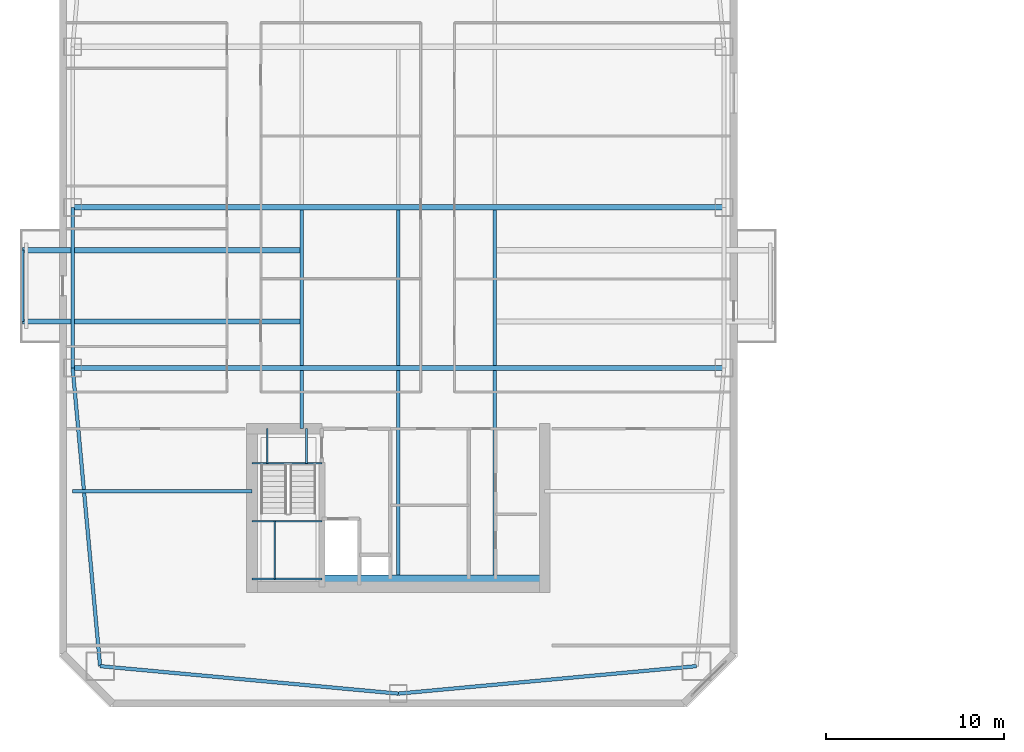
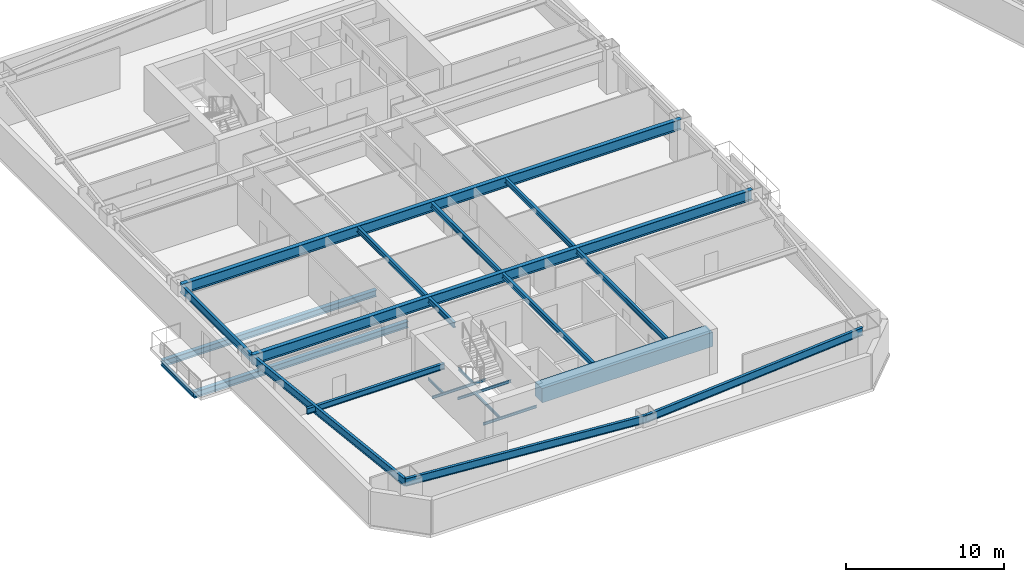
# One storey, part 3 of 22: 23 beams.
"""IFC4 building model written with IfcOpenShell, lengths in metres."""

from ifc_helpers import new_model, si_unit, direction, frame, origin, origin_2d, place, context, subcontext, project, spatial, rectangle, i_section, extrude, material, material_profile, profile_set, type_object, element, save


model = new_model("IFC4")

# Units and contexts
model_context = context("Model", 3, precision=1e-05, world=origin(), true_north=direction((0.0, 1.0)))
body_context = subcontext(model_context, "Body", "Model", "MODEL_VIEW")
ifc_project = project(units=[si_unit("LENGTHUNIT", "METRE"), si_unit("AREAUNIT", "SQUARE_METRE"), si_unit("VOLUMEUNIT", "CUBIC_METRE"), si_unit("PLANEANGLEUNIT", "RADIAN"), si_unit("MASSUNIT", "GRAM", prefix="KILO")], contexts=[model_context])

# Site, building, storey
site_placement = place(None, origin())
site = spatial("IfcSite", under=ifc_project, at=site_placement, CompositionType="ELEMENT")
building_placement = place(site_placement, origin())
building = spatial("IfcBuilding", under=site, at=building_placement, Name="Qiaolan Cultural Towers", CompositionType="ELEMENT")
storey_placement = place(building_placement, frame((0.0, 0.0, 146.050048828125)))
storey = spatial("IfcBuildingStorey", under=building, at=storey_placement, Name="L38", CompositionType="ELEMENT", Elevation=146.050048828125)

# Beams
ifc_material_1 = material(Name="Steel Q355B", Category="steel")
ifc_material_profile_1 = material_profile(ifc_material_1, i_section(OverallWidth=0.300048828125, OverallDepth=0.488037109375, WebThickness=0.010986328125, FlangeThickness=0.01806640625, at=origin_2d()), Name="HM488x300x11x18")
ifc_profile_set_1 = profile_set([ifc_material_profile_1], Name="Steel Q355B")
beam_type_1 = type_object("IfcBeamType", Name="BM-HM488x300x11x18", PredefinedType="BEAM", material=ifc_profile_set_1)
for number, where, z_axis, x_axis, name in (
    (1, (24.60009765625, 27.60009765625, -0.524169921875), (-1.0, 0.0, 0.0), (0.0, -1.0, 0.0), "L38 T1 Tree Balcony Back-Spanned Bracket Beam"),
    (2, (24.60009765625, 31.60009765625, -0.524169921875), (-1.0, 0.0, 0.0), (0.0, -1.0, 0.0), "L38 T1 Tree Balcony Back-Spanned Bracket Beam"),
):
    element("IfcBeam", number, at=place(storey_placement, frame(where, z_axis=z_axis, x_axis=x_axis)), inside=storey, type_object=beam_type_1, Name=name, PredefinedType="BEAM", context=body_context, shape_type="SweptSolid", body=[
        extrude(i_section(OverallWidth=0.300048828125, OverallDepth=0.488037109375, WebThickness=0.010986328125, FlangeThickness=0.01806640625, at=origin_2d()), origin(), (0.0, 0.0, 1.0), 15.650146484375),
    ])
ifc_material_2 = material(Name="Steel Q355B", Category="steel")
ifc_material_profile_2 = material_profile(ifc_material_2, i_section(OverallWidth=0.300048828125, OverallDepth=0.800048828125, WebThickness=0.013916015625, FlangeThickness=0.02587890625, at=origin_2d()), Name="HN800x300x14x26")
ifc_profile_set_2 = profile_set([ifc_material_profile_2], Name="Steel Q355B")
beam_type_2 = type_object("IfcBeamType", Name="BM-HN800x300x14x26", PredefinedType="BEAM", material=ifc_profile_set_2)
for number, where, z_axis, x_axis, name in (
    (3, (11.75, 25.0, 2.7900390625), (1.0, 0.0, 0.0), (0.0, 1.0, 0.0), "L38 T1 Primary Transverse Girder V1"),
    (4, (11.75, 34.0, 2.7900390625), (1.0, 0.0, 0.0), (0.0, 1.0, 0.0), "L38 T1 Primary Transverse Girder V2"),
):
    element("IfcBeam", number, at=place(storey_placement, frame(where, z_axis=z_axis, x_axis=x_axis)), inside=storey, type_object=beam_type_2, Name=name, PredefinedType="BEAM", context=body_context, shape_type="SweptSolid", body=[
        extrude(i_section(OverallWidth=0.300048828125, OverallDepth=0.800048828125, WebThickness=0.013916015625, FlangeThickness=0.02587890625, at=origin_2d()), origin(), (0.0, 0.0, 1.0), 36.5),
    ])
ifc_material_3 = material(Name="Steel Q355B", Category="steel")
ifc_material_profile_3 = material_profile(ifc_material_3, i_section(OverallWidth=0.175048828125, OverallDepth=0.35009765625, WebThickness=0.007080078125, FlangeThickness=0.010986328125, at=origin_2d()), Name="HN350x175x7x11")
ifc_profile_set_3 = profile_set([ifc_material_profile_3], Name="Steel Q355B")
beam_type_3 = type_object("IfcBeamType", Name="BM-JST-HN350x175x7x11", PredefinedType="JOIST", material=ifc_profile_set_3)
beam_1_placement = place(storey_placement, frame((8.949951171875, 27.60009765625, -0.524169921875), z_axis=(0.0, 1.0, 0.0), x_axis=(-1.0, 0.0, 0.0)))
element("IfcBeam", 5, at=beam_1_placement, inside=storey, type_object=beam_type_3, Name="L38 T1 Tree Balcony Outer Edge Beam", PredefinedType="JOIST", context=body_context, shape_type="SweptSolid", body=[
    extrude(i_section(OverallWidth=0.175048828125, OverallDepth=0.35009765625, WebThickness=0.007080078125, FlangeThickness=0.010986328125, at=origin_2d()), origin(), (0.0, 0.0, 1.0), 4.0),
])
ifc_material_4 = material(Name="Steel Q355B", Category="steel")
ifc_material_profile_4 = material_profile(ifc_material_4, i_section(OverallWidth=0.199951171875, OverallDepth=0.39990234375, WebThickness=0.008056640625, FlangeThickness=0.012939453125, at=origin_2d()), Name="HN400x200x8x13")
ifc_profile_set_4 = profile_set([ifc_material_profile_4], Name="Steel Q355B")
beam_type_4 = type_object("IfcBeamType", Name="BM-JST-HN400x200x8x13", PredefinedType="JOIST", material=ifc_profile_set_4)
beam_2_placement = place(storey_placement, frame((24.60009765625, 21.60009765625, 2.989990234375), z_axis=(0.0, 1.0, 0.0), x_axis=(-1.0, 0.0, 0.0)))
element("IfcBeam", 6, at=beam_2_placement, inside=storey, type_object=beam_type_4, Name="L38 T1 Secondary Floor Joist U1-1", PredefinedType="JOIST", context=body_context, shape_type="SweptSolid", body=[
    extrude(i_section(OverallWidth=0.199951171875, OverallDepth=0.39990234375, WebThickness=0.008056640625, FlangeThickness=0.012939453125, at=origin_2d()), origin(), (0.0, 0.0, 1.0), 3.25),
])
beam_3_placement = place(storey_placement, frame((24.60009765625, 25.14990234375, 2.989990234375), z_axis=(0.0, 1.0, 0.0), x_axis=(-1.0, 0.0, 0.0)))
element("IfcBeam", 7, at=beam_3_placement, inside=storey, type_object=beam_type_4, Name="L38 T1 Secondary Floor Joist U1-2", PredefinedType="JOIST", context=body_context, shape_type="SweptSolid", body=[
    extrude(i_section(OverallWidth=0.199951171875, OverallDepth=0.39990234375, WebThickness=0.008056640625, FlangeThickness=0.012939453125, at=origin_2d()), origin(), (0.0, 0.0, 1.0), 8.7001953125),
])
beam_4_placement = place(storey_placement, frame((30.0, 13.39990234375, 2.989990234375), z_axis=(0.0, 1.0, 0.0), x_axis=(-1.0, 0.0, 0.0)))
element("IfcBeam", 8, at=beam_4_placement, inside=storey, type_object=beam_type_4, Name="L38 T1 Secondary Floor Joist U2-1", PredefinedType="JOIST", context=body_context, shape_type="SweptSolid", body=[
    extrude(i_section(OverallWidth=0.199951171875, OverallDepth=0.39990234375, WebThickness=0.008056640625, FlangeThickness=0.012939453125, at=origin_2d()), origin(), (0.0, 0.0, 1.0), 11.4501953125),
])
beam_5_placement = place(storey_placement, frame((30.0, 25.14990234375, 2.989990234375), z_axis=(0.0, 1.0, 0.0), x_axis=(-1.0, 0.0, 0.0)))
element("IfcBeam", 9, at=beam_5_placement, inside=storey, type_object=beam_type_4, Name="L38 T1 Secondary Floor Joist U2-2", PredefinedType="JOIST", context=body_context, shape_type="SweptSolid", body=[
    extrude(i_section(OverallWidth=0.199951171875, OverallDepth=0.39990234375, WebThickness=0.008056640625, FlangeThickness=0.012939453125, at=origin_2d()), origin(), (0.0, 0.0, 1.0), 8.7001953125),
])
beam_6_placement = place(storey_placement, frame((35.39990234375, 13.39990234375, 2.989990234375), z_axis=(0.0, 1.0, 0.0), x_axis=(-1.0, 0.0, 0.0)))
element("IfcBeam", 10, at=beam_6_placement, inside=storey, type_object=beam_type_4, Name="L38 T1 Secondary Floor Joist U3-1", PredefinedType="JOIST", context=body_context, shape_type="SweptSolid", body=[
    extrude(i_section(OverallWidth=0.199951171875, OverallDepth=0.39990234375, WebThickness=0.008056640625, FlangeThickness=0.012939453125, at=origin_2d()), origin(), (0.0, 0.0, 1.0), 11.4501953125),
])
beam_7_placement = place(storey_placement, frame((35.39990234375, 25.14990234375, 2.989990234375), z_axis=(0.0, 1.0, 0.0), x_axis=(-1.0, 0.0, 0.0)))
element("IfcBeam", 11, at=beam_7_placement, inside=storey, type_object=beam_type_4, Name="L38 T1 Secondary Floor Joist U3-2", PredefinedType="JOIST", context=body_context, shape_type="SweptSolid", body=[
    extrude(i_section(OverallWidth=0.199951171875, OverallDepth=0.39990234375, WebThickness=0.008056640625, FlangeThickness=0.012939453125, at=origin_2d()), origin(), (0.0, 0.0, 1.0), 8.7001953125),
])
ifc_material_5 = material(Name="Steel Q355B", Category="steel")
ifc_material_profile_5 = material_profile(ifc_material_5, i_section(OverallWidth=0.199951171875, OverallDepth=0.449951171875, WebThickness=0.009033203125, FlangeThickness=0.013916015625, at=origin_2d()), Name="HN450x200x9x14")
ifc_profile_set_5 = profile_set([ifc_material_profile_5], Name="Steel Q355B")
beam_type_5 = type_object("IfcBeamType", Name="BM-LNT-HN450x200x9x14", PredefinedType="LINTEL", material=ifc_profile_set_5)
beam_8_placement = place(storey_placement, frame((21.800048828125, 18.10009765625, 2.96484375), z_axis=(-1.0, 0.0, 0.0), x_axis=(0.0, -1.0, 0.0)))
element("IfcBeam", 12, at=beam_8_placement, inside=storey, type_object=beam_type_5, Name="L38 T1 Core Flank Tie Lintel WS", PredefinedType="LINTEL", context=body_context, shape_type="SweptSolid", body=[
    extrude(i_section(OverallWidth=0.199951171875, OverallDepth=0.449951171875, WebThickness=0.009033203125, FlangeThickness=0.013916015625, at=origin_2d()), origin(), (0.0, 0.0, 1.0), 10.050048828125),
])
ifc_material_6 = material(Name="Concrete C50", Category="concrete")
ifc_material_profile_6 = material_profile(ifc_material_6, rectangle(XDim=0.89990234375, YDim=1.10009765625, at=origin_2d()), Name="RC900x1100")
ifc_profile_set_6 = profile_set([ifc_material_profile_6], Name="Concrete C50")
beam_type_6 = type_object("IfcBeamType", Name="BM-RC900x1100", PredefinedType="BEAM", material=ifc_profile_set_6)
beam_9_placement = place(storey_placement, frame((25.719970703125, 12.949951171875, 2.639892578125), z_axis=(1.0, 0.0, 0.0), x_axis=(0.0, 1.0, 0.0)))
element("IfcBeam", 13, at=beam_9_placement, inside=storey, type_object=beam_type_6, Name="L38 T1 Core Header Girder S", PredefinedType="BEAM", context=body_context, shape_type="SweptSolid", body=[
    extrude(rectangle(XDim=0.89990234375, YDim=1.10009765625, at=origin_2d()), origin(), (0.0, 0.0, 1.0), 12.47998046875),
])
ifc_material_7 = material(Name="Steel Q355B", Category="steel")
ifc_material_profile_7 = material_profile(ifc_material_7, i_section(OverallWidth=0.199951171875, OverallDepth=0.60009765625, WebThickness=0.010986328125, FlangeThickness=0.01708984375, at=origin_2d()), Name="HN600x200x11x17")
ifc_profile_set_7 = profile_set([ifc_material_profile_7], Name="Steel Q355B")
beam_type_7 = type_object("IfcBeamType", Name="BM-SPD-HN600x200x11x17", PredefinedType="SPANDREL", material=ifc_profile_set_7)
for number, where, z_axis, x_axis, name in (
    (14, (13.2900390625, 8.2900390625, 2.889892578125), (0.995779862064, -0.09177399582, 0.0), (0.09177399582, 0.995779862064, 0.0), "L38 T1 Perimeter Spandrel Beam 1"),
    (15, (30.0, 6.75, 2.889892578125), (0.995779862064, 0.09177399582, 0.0), (-0.09177399582, 0.995779862064, 0.0), "L38 T1 Perimeter Spandrel Beam 2"),
):
    element("IfcBeam", number, at=place(storey_placement, frame(where, z_axis=z_axis, x_axis=x_axis)), inside=storey, type_object=beam_type_7, Name=name, PredefinedType="SPANDREL", context=body_context, shape_type="SweptSolid", body=[
        extrude(i_section(OverallWidth=0.199951171875, OverallDepth=0.60009765625, WebThickness=0.010986328125, FlangeThickness=0.01708984375, at=origin_2d()), origin(), (0.0, 0.0, 1.0), 16.78076171875),
    ])
beam_10_placement = place(storey_placement, frame((11.75, 34.0, 2.889892578125), z_axis=(0.0, -1.0, 0.0), x_axis=(1.0, 0.0, 0.0)))
element("IfcBeam", 16, at=beam_10_placement, inside=storey, type_object=beam_type_7, Name="L38 T1 Perimeter Spandrel Beam 11", PredefinedType="SPANDREL", context=body_context, shape_type="SweptSolid", body=[
    extrude(i_section(OverallWidth=0.199951171875, OverallDepth=0.60009765625, WebThickness=0.010986328125, FlangeThickness=0.01708984375, at=origin_2d()), origin(), (0.0, 0.0, 1.0), 9.0),
])
beam_11_placement = place(storey_placement, frame((11.75, 25.0, 2.889892578125), z_axis=(0.09177399582, -0.995779862064, 0.0), x_axis=(0.995779862064, 0.09177399582, 0.0)))
element("IfcBeam", 17, at=beam_11_placement, inside=storey, type_object=beam_type_7, Name="L38 T1 Perimeter Spandrel Beam 12", PredefinedType="SPANDREL", context=body_context, shape_type="SweptSolid", body=[
    extrude(i_section(OverallWidth=0.199951171875, OverallDepth=0.60009765625, WebThickness=0.010986328125, FlangeThickness=0.01708984375, at=origin_2d()), origin(), (0.0, 0.0, 1.0), 16.78076171875),
])
ifc_material_8 = material(Name="Steel Q355B", Category="steel")
ifc_material_profile_8 = material_profile(ifc_material_8, i_section(OverallWidth=0.10009765625, OverallDepth=0.199951171875, WebThickness=0.005615234375, FlangeThickness=0.008056640625, at=origin_2d()), Name="HN200x100x5.5x8")
ifc_profile_set_8 = profile_set([ifc_material_profile_8], Name="Steel Q355B")
beam_type_8 = type_object("IfcBeamType", Name="BM-STTRIM-200", PredefinedType="BEAM", material=ifc_profile_set_8)
beam_12_placement = place(storey_placement, frame((21.800048828125, 19.659912109375, -0.4599609375), z_axis=(1.0, 0.0, 0.0), x_axis=(0.0, 1.0, 0.0)))
element("IfcBeam", 18, at=beam_12_placement, inside=storey, type_object=beam_type_8, Name="L38 ST-W1 Floor Landing Header Beam", PredefinedType="BEAM", context=body_context, shape_type="SweptSolid", body=[
    extrude(i_section(OverallWidth=0.10009765625, OverallDepth=0.199951171875, WebThickness=0.005615234375, FlangeThickness=0.008056640625, at=origin_2d()), origin(), (0.0, 0.0, 1.0), 3.919921875),
])
for number, where, z_axis, x_axis, name in (
    (19, (22.64990234375, 21.60009765625, -0.4599609375), (0.0, -1.0, 0.0), (1.0, 0.0, 0.0), "L38 ST-W1 Floor Landing Stringer 1"),
    (20, (24.85009765625, 21.60009765625, -0.4599609375), (0.0, -1.0, 0.0), (1.0, 0.0, 0.0), "L38 ST-W1 Floor Landing Stringer 2"),
):
    element("IfcBeam", number, at=place(storey_placement, frame(where, z_axis=z_axis, x_axis=x_axis)), inside=storey, type_object=beam_type_8, Name=name, PredefinedType="BEAM", context=body_context, shape_type="SweptSolid", body=[
        extrude(i_section(OverallWidth=0.10009765625, OverallDepth=0.199951171875, WebThickness=0.005615234375, FlangeThickness=0.008056640625, at=origin_2d()), origin(), (0.0, 0.0, 1.0), 1.940185546875),
    ])
for number, where, z_axis, x_axis, name in (
    (21, (21.800048828125, 16.411376953125, 1.425048828125), (1.0, 0.0, 0.0), (0.0, 1.0, 0.0), "L38 ST-W1 Stair Landing Support Beam 1-1"),
    (22, (21.800048828125, 13.179931640625, 1.425048828125), (1.0, 0.0, 0.0), (0.0, 1.0, 0.0), "L38 ST-W1 Stair Landing Support Beam 1-2"),
):
    element("IfcBeam", number, at=place(storey_placement, frame(where, z_axis=z_axis, x_axis=x_axis)), inside=storey, type_object=beam_type_8, Name=name, PredefinedType="BEAM", context=body_context, shape_type="SweptSolid", body=[
        extrude(i_section(OverallWidth=0.10009765625, OverallDepth=0.199951171875, WebThickness=0.005615234375, FlangeThickness=0.008056640625, at=origin_2d()), origin(), (0.0, 0.0, 1.0), 3.919921875),
    ])
beam_13_placement = place(storey_placement, frame((23.070068359375, 16.411376953125, 1.425048828125), z_axis=(0.0, -1.0, 0.0), x_axis=(1.0, 0.0, 0.0)))
element("IfcBeam", 23, at=beam_13_placement, inside=storey, type_object=beam_type_8, Name="L38 ST-W1 Stair Landing Trimmer 1", PredefinedType="BEAM", context=body_context, shape_type="SweptSolid", body=[
    extrude(i_section(OverallWidth=0.10009765625, OverallDepth=0.199951171875, WebThickness=0.005615234375, FlangeThickness=0.008056640625, at=origin_2d()), origin(), (0.0, 0.0, 1.0), 3.2314453125),
])

save(model, "model.ifc")
